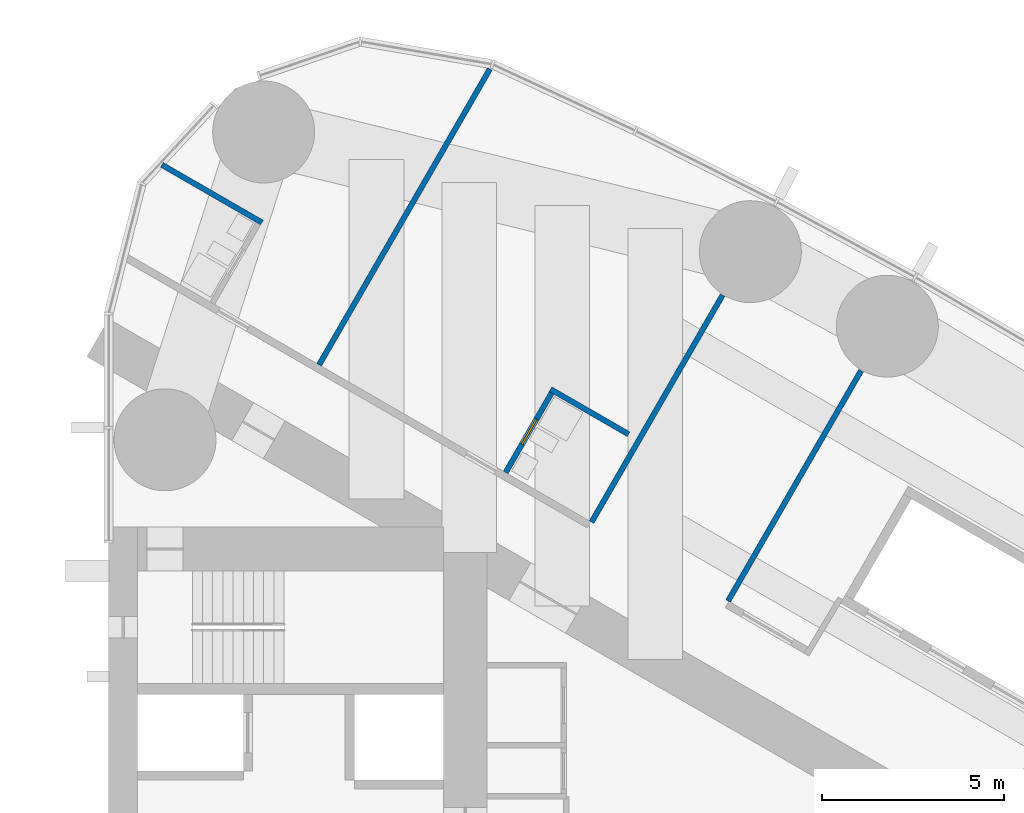
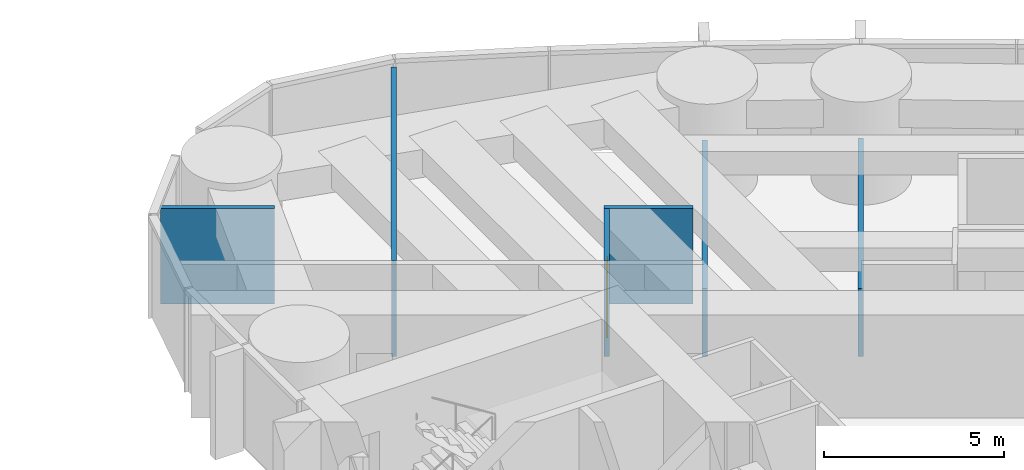
# One storey, part 16 of 19: 6 walls, 1 door, 1 opening.
"""IFC4 building model written with IfcOpenShell, lengths in metres."""

from ifc_helpers import new_model, si_unit, direction, frame, frame_2d, origin, place, context, subcontext, project, spatial, rectangle, extrude, material, layer, layer_set, type_object, element, fill, save


model = new_model("IFC4")

# Units and contexts
model_context = context("Model", 3, precision=1e-05, world=origin(), true_north=direction((0.0, 1.0)))
body_context = subcontext(model_context, "Body", "Model", "MODEL_VIEW")
ifc_project = project(units=[si_unit("LENGTHUNIT", "METRE"), si_unit("AREAUNIT", "SQUARE_METRE"), si_unit("VOLUMEUNIT", "CUBIC_METRE"), si_unit("PLANEANGLEUNIT", "RADIAN"), si_unit("MASSUNIT", "GRAM", prefix="KILO")], contexts=[model_context])

# Site, building, storey
site_placement = place(None, origin())
site = spatial("IfcSite", under=ifc_project, at=site_placement, CompositionType="ELEMENT")
building_placement = place(site_placement, origin())
building = spatial("IfcBuilding", under=site, at=building_placement, Name="Lancet Gate Hotel", CompositionType="ELEMENT")
storey_placement = place(building_placement, frame((0.0, 0.0, 170.300048828125)))
storey = spatial("IfcBuildingStorey", under=building, at=storey_placement, Name="L45", CompositionType="ELEMENT", Elevation=170.300048828125)

# Wall
ifc_material_1 = material(Name="Moisture resistant board partition")
ifc_layer_1 = layer(ifc_material_1, 0.14990234375)
ifc_layer_set_1 = layer_set([ifc_layer_1], Name="Bathroom wall 150")
wall_type_1 = type_object("IfcWallType", Name="Bathroom wall 150", PredefinedType="PARTITIONING", material=ifc_layer_set_1)
wall_1_placement = place(storey_placement, frame((39.64453125, 12.388671875, 0.0), z_axis=(0.0, 0.0, 1.0), x_axis=(0.866006523861, -0.500032699561, 0.0)))
element("IfcWall", 1, at=wall_1_placement, inside=storey, type_object=wall_type_1, Name="T2 bathroom wall 150 L45", PredefinedType="PARTITIONING", context=body_context, shape_type="SweptSolid", body=[
    extrude(rectangle(XDim=2.474853515625, YDim=0.14990234375, at=frame_2d((1.2373046875, 0.0))), origin(), (0.0, 0.0, 1.0), 3.25),
])

# Wall, opening, door
wall_2_placement = place(storey_placement, frame((38.409423828125, 10.099365234375, 0.0), z_axis=(0.0, 0.0, 1.0), x_axis=(0.500006934395, 0.866021400173, 0.0)))
wall_2 = element("IfcWall", 2, at=wall_2_placement, inside=storey, type_object=wall_type_1, Name="T2 bathroom wall 150 L45", PredefinedType="PARTITIONING", context=body_context, shape_type="SweptSolid", body=[
    extrude(rectangle(XDim=2.60009765625, YDim=0.14990234375, at=frame_2d((1.300048828125, 0.0))), origin(), (0.0, 0.0, 1.0), 3.25),
])
opening_placement = place(wall_2_placement, frame((0.89990234375, 0.0, 0.0)))
opening = element("IfcOpeningElement", 3, at=opening_placement, cuts=wall_2, Name="Opening 4562-B", PredefinedType="OPENING", context=body_context, shape_type="SweptSolid", body=[
    extrude(rectangle(XDim=0.800048828125, YDim=2.199951171875, at=frame_2d((0.39990234375, 1.10009765625))), frame((0.0, 0.0849609375, 0.0), z_axis=(0.0, -1.0, 0.0), x_axis=(1.0, 0.0, 0.0)), (0.0, 0.0, 1.0), 0.169921875),
])
ifc_material_2 = material(Name="Timber door set", Category="wood")
door_type = type_object("IfcDoorType", Name="Bathroom door 800", OperationType="SINGLE_SWING_RIGHT", PredefinedType="DOOR", material=ifc_material_2)
door_placement = place(opening_placement, origin())
door = element("IfcDoor", 4, at=door_placement, inside=storey, type_object=door_type, Name="4562-B", OperationType="SINGLE_SWING_RIGHT", OverallHeight=2.199951171875, OverallWidth=0.800048828125, PredefinedType="DOOR", context=body_context, shape_type="SweptSolid", body=[
    extrude(rectangle(XDim=0.800048828125, YDim=2.199951171875, at=frame_2d((0.39990234375, 1.10009765625))), frame((0.0, 0.02490234375, 0.0), z_axis=(0.0, -1.0, 0.0), x_axis=(1.0, 0.0, 0.0)), (0.0, 0.0, 1.0), 0.050048828125),
])
fill(opening, door)

# Walls
wall_3_placement = place(storey_placement, frame((28.965087890625, 18.554443359375, 0.0), z_axis=(0.0, 0.0, 1.0), x_axis=(0.866008740531, -0.500028860491, 0.0)))
element("IfcWall", 5, at=wall_3_placement, inside=storey, type_object=wall_type_1, Name="T2 bathroom wall 150 L45", PredefinedType="PARTITIONING", context=body_context, shape_type="SweptSolid", body=[
    extrude(rectangle(XDim=3.172607421875, YDim=0.14990234375, at=frame_2d((1.58642578125, 0.0))), origin(), (0.0, 0.0, 1.0), 3.25),
])
ifc_material_3 = material(Name="Gypsum board partition")
ifc_layer_2 = layer(ifc_material_3, 0.14990234375)
ifc_layer_set_2 = layer_set([ifc_layer_2], Name="Party wall 150")
wall_type_2 = type_object("IfcWallType", Name="Party wall 150", PredefinedType="PARTITIONING", material=ifc_layer_set_2)
wall_4_placement = place(storey_placement, frame((33.28369140625, 13.058837890625, 0.0), z_axis=(0.0, 0.0, 1.0), x_axis=(0.499985904184, 0.866033541855, 0.0)))
element("IfcWall", 6, at=wall_4_placement, inside=storey, type_object=wall_type_2, Name="T2 party wall 150 L45", PredefinedType="PARTITIONING", context=body_context, shape_type="SweptSolid", body=[
    extrude(rectangle(XDim=9.385498046875, YDim=0.14990234375, at=frame_2d((4.69287109375, 0.0))), origin(), (0.0, 0.0, 1.0), 3.25),
])
wall_5_placement = place(storey_placement, frame((40.769287109375, 8.737060546875, 0.0), z_axis=(0.0, 0.0, 1.0), x_axis=(0.500013115284, 0.866017831539, 0.0)))
element("IfcWall", 7, at=wall_5_placement, inside=storey, type_object=wall_type_2, Name="T2 party wall 150 L45", PredefinedType="PARTITIONING", context=body_context, shape_type="SweptSolid", body=[
    extrude(rectangle(XDim=7.197998046875, YDim=0.14990234375, at=frame_2d((3.59912109375, 0.0))), origin(), (0.0, 0.0, 1.0), 2.300048828125),
])
wall_6_placement = place(storey_placement, frame((44.521484375, 6.57080078125, 0.0), z_axis=(0.0, 0.0, 1.0), x_axis=(0.500020376429, 0.866013639128, 0.0)))
element("IfcWall", 8, at=wall_6_placement, inside=storey, type_object=wall_type_2, Name="T2 party wall 150 L45", PredefinedType="PARTITIONING", context=body_context, shape_type="SweptSolid", body=[
    extrude(rectangle(XDim=7.306396484375, YDim=0.14990234375, at=frame_2d((3.6533203125, 0.0))), origin(), (0.0, 0.0, 1.0), 2.300048828125),
])

save(model, "model.ifc")
